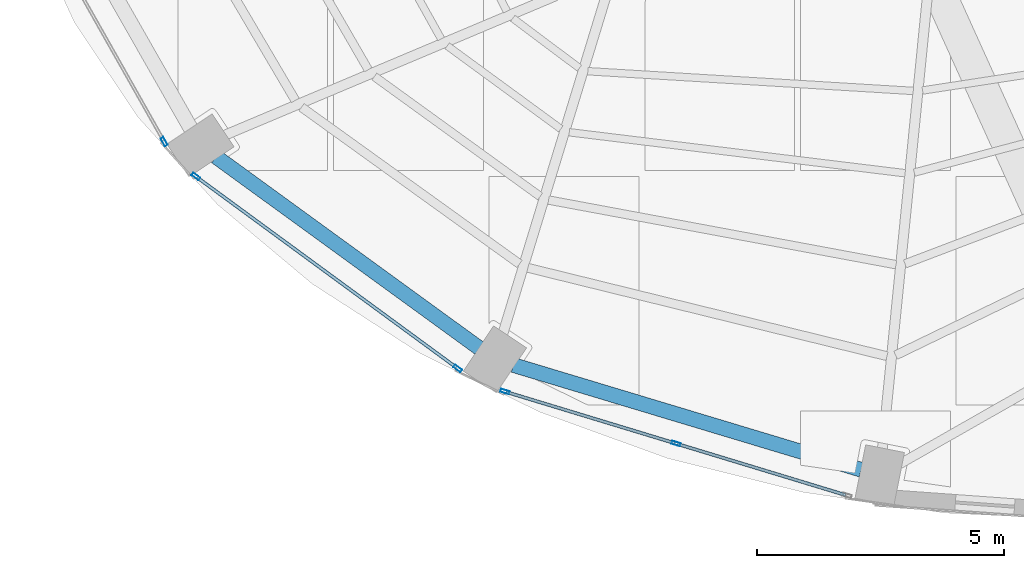
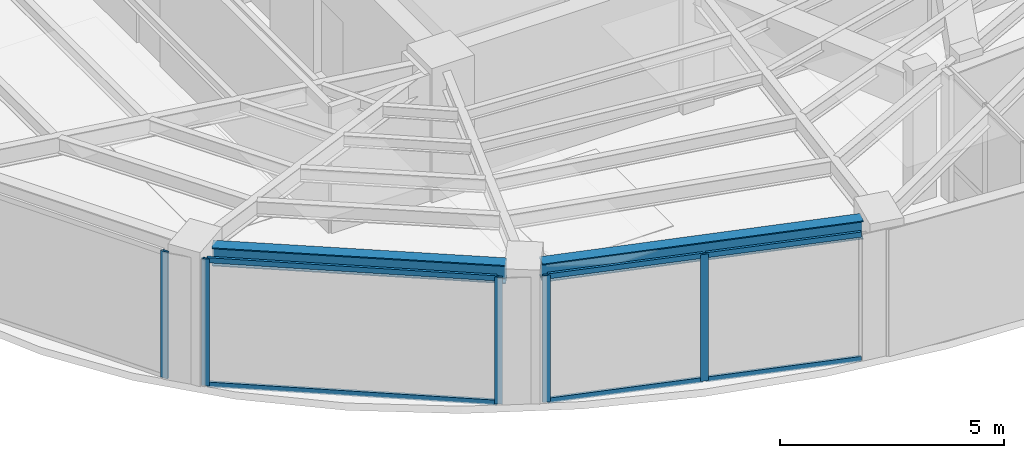
# One storey, part 2 of 22: 11 members, 2 beams, 3 elements without a shape of their own.
"""IFC4 building model written with IfcOpenShell, lengths in metres."""

from ifc_helpers import new_model, si_unit, direction, frame, origin, origin_2d, place, context, subcontext, project, spatial, hollow_rectangle, i_section, extrude, material, layer, layer_set, material_profile, profile_set, type_object, element, aggregate, save


model = new_model("IFC4")

# Units and contexts
model_context = context("Model", 3, precision=1e-05, world=origin(), true_north=direction((0.0, 1.0)))
body_context = subcontext(model_context, "Body", "Model", "MODEL_VIEW")
ifc_project = project(units=[si_unit("LENGTHUNIT", "METRE"), si_unit("AREAUNIT", "SQUARE_METRE"), si_unit("VOLUMEUNIT", "CUBIC_METRE"), si_unit("PLANEANGLEUNIT", "RADIAN"), si_unit("MASSUNIT", "GRAM", prefix="KILO")], contexts=[model_context])

# Site, building, storey
site_placement = place(None, origin())
site = spatial("IfcSite", under=ifc_project, at=site_placement, CompositionType="ELEMENT")
building_placement = place(site_placement, origin())
building = spatial("IfcBuilding", under=site, at=building_placement, Name="Lazwardi Medical Tower", CompositionType="ELEMENT")
storey_placement = place(building_placement, frame((0.0, 0.0, 255.02392578125)))
storey = spatial("IfcBuildingStorey", under=building, at=storey_placement, Name="L66", CompositionType="ELEMENT", Elevation=255.02392578125)

# Beams
ifc_material_1 = material(Name="Steel S355", Category="steel")
ifc_material_profile_1 = material_profile(ifc_material_1, i_section(OverallWidth=0.300048828125, OverallDepth=0.5, WebThickness=0.014404296875, FlangeThickness=0.028076171875, at=origin_2d()), Name="HEB 500")
ifc_profile_set_1 = profile_set([ifc_material_profile_1], Name="Steel S355")
beam_type = type_object("IfcBeamType", Name="BM-RB-Z4", PredefinedType="BEAM", material=ifc_profile_set_1)
beam_1_placement = place(storey_placement, frame((18.355712890625, 16.648193359375, 3.197998046875), z_axis=(0.808889916254, -0.587960120571, 0.0), x_axis=(0.587960120571, 0.808889916254, 0.0)))
element("IfcBeam", 1, at=beam_1_placement, inside=storey, type_object=beam_type, Name="Ring beam RB-05 B14 L66", PredefinedType="BEAM", context=body_context, shape_type="SweptSolid", body=[
    extrude(i_section(OverallWidth=0.300048828125, OverallDepth=0.5, WebThickness=0.014404296875, FlangeThickness=0.028076171875, at=origin_2d()), origin(), (0.0, 0.0, 1.0), 6.587158203125),
])
beam_2_placement = place(storey_placement, frame((24.373046875, 12.43359375, 3.197998046875), z_axis=(0.957544311906, -0.288286126506, 0.0), x_axis=(0.288286126506, 0.957544311906, 0.0)))
element("IfcBeam", 2, at=beam_2_placement, inside=storey, type_object=beam_type, Name="Ring beam RB-05 B15 L66", PredefinedType="BEAM", context=body_context, shape_type="SweptSolid", body=[
    extrude(i_section(OverallWidth=0.300048828125, OverallDepth=0.5, WebThickness=0.014404296875, FlangeThickness=0.028076171875, at=origin_2d()), origin(), (0.0, 0.0, 1.0), 7.3515625),
])

# Curtain wall, member
ifc_material_2 = material(Name="Anodised bronze aluminium and solar control glazing", Category="aluminium")
ifc_layer = layer(ifc_material_2, 0.18994140625)
ifc_layer_set = layer_set([ifc_layer], Name="Anodised bronze aluminium and solar control glazing")
curtain_wall_type = type_object("IfcCurtainWallType", Name="CW-SYS-04", PredefinedType="NOTDEFINED", material=ifc_layer_set)
curtain_wall_1_placement = place(storey_placement, origin())
curtain_wall_1 = element("IfcCurtainWall", 3, at=curtain_wall_1_placement, inside=storey, type_object=curtain_wall_type, Name="L66 Unitised bronze curtain wall CW-04", PredefinedType="NOTDEFINED")
ifc_material_3 = material(Name="Anodised bronze aluminium", Category="aluminium")
ifc_material_profile_2 = material_profile(ifc_material_3, hollow_rectangle(XDim=0.06494140625, YDim=0.179931640625, WallThickness=0.00390625, at=origin_2d()), Name="ALU-MULLION 180x65x4")
ifc_profile_set_2 = profile_set([ifc_material_profile_2], Name="Anodised bronze aluminium")
member_type_1 = type_object("IfcMemberType", Name="CW-MUL-03", PredefinedType="MULLION", material=ifc_profile_set_2)
member_1_placement = place(storey_placement, frame((17.3056640625, 16.95458984375, 0.0), z_axis=(0.0, 0.0, 1.0), x_axis=(0.870651436011, 0.491900474661, 0.0)))
member_1 = element("IfcMember", 4, at=member_1_placement, type_object=member_type_1, Name="CW-04 mullion 2", PredefinedType="MULLION", context=body_context, shape_type="SweptSolid", body=[
    extrude(hollow_rectangle(XDim=0.06494140625, YDim=0.179931640625, WallThickness=0.00390625, at=origin_2d()), origin(), (0.0, 0.0, 1.0), 3.447998046875),
])
aggregate(curtain_wall_1, [member_1])

# Curtain wall, members
curtain_wall_2_placement = place(storey_placement, origin())
curtain_wall_2 = element("IfcCurtainWall", 5, at=curtain_wall_2_placement, inside=storey, type_object=curtain_wall_type, Name="L66 Unitised bronze curtain wall CW-04", PredefinedType="NOTDEFINED")
member_2_placement = place(storey_placement, frame((17.947998046875, 16.248291015625, 0.0), z_axis=(0.0, 0.0, 1.0), x_axis=(0.591268230971, 0.806474971121, 0.0)))
member_2 = element("IfcMember", 6, at=member_2_placement, type_object=member_type_1, Name="CW-04 mullion 1", PredefinedType="MULLION", context=body_context, shape_type="SweptSolid", body=[
    extrude(hollow_rectangle(XDim=0.06494140625, YDim=0.179931640625, WallThickness=0.00390625, at=origin_2d()), origin(), (0.0, 0.0, 1.0), 3.447998046875),
])
member_3_placement = place(storey_placement, frame((23.24462890625, 12.365234375, 0.0), z_axis=(0.0, 0.0, 1.0), x_axis=(0.591268230971, 0.806474971121, 0.0)))
member_3 = element("IfcMember", 7, at=member_3_placement, type_object=member_type_1, Name="CW-04 mullion 2", PredefinedType="MULLION", context=body_context, shape_type="SweptSolid", body=[
    extrude(hollow_rectangle(XDim=0.06494140625, YDim=0.179931640625, WallThickness=0.00390625, at=origin_2d()), origin(), (0.0, 0.0, 1.0), 3.447998046875),
])

curtain_wall_3_placement = place(storey_placement, origin())
curtain_wall_3 = element("IfcCurtainWall", 8, at=curtain_wall_3_placement, inside=storey, type_object=curtain_wall_type, Name="L66 Unitised bronze curtain wall CW-04", PredefinedType="NOTDEFINED")
member_4_placement = place(storey_placement, frame((24.2001953125, 11.896484375, 0.0), z_axis=(0.0, 0.0, 1.0), x_axis=(0.290581889515, 0.956850126972, 0.0)))
member_4 = element("IfcMember", 9, at=member_4_placement, type_object=member_type_1, Name="CW-04 mullion 1", PredefinedType="MULLION", context=body_context, shape_type="SweptSolid", body=[
    extrude(hollow_rectangle(XDim=0.06494140625, YDim=0.179931640625, WallThickness=0.00390625, at=origin_2d()), origin(), (0.0, 0.0, 1.0), 3.447998046875),
])
member_5_placement = place(storey_placement, frame((27.66357421875, 10.8447265625, 0.0), z_axis=(0.0, 0.0, 1.0), x_axis=(0.290581889515, 0.956850126972, 0.0)))
member_5 = element("IfcMember", 10, at=member_5_placement, type_object=member_type_1, Name="CW-04 mullion 2", PredefinedType="MULLION", context=body_context, shape_type="SweptSolid", body=[
    extrude(hollow_rectangle(XDim=0.06494140625, YDim=0.179931640625, WallThickness=0.00390625, at=origin_2d()), origin(), (0.0, 0.0, 1.0), 3.447998046875),
])

# Member
ifc_material_profile_3 = material_profile(ifc_material_3, hollow_rectangle(XDim=0.06494140625, YDim=0.139892578125, WallThickness=0.00341796875, at=origin_2d()), Name="ALU-TRANSOM 140x65x3.5")
ifc_profile_set_3 = profile_set([ifc_material_profile_3], Name="Anodised bronze aluminium")
member_type_2 = type_object("IfcMemberType", Name="CW-TRN-03", PredefinedType="USERDEFINED", material=ifc_profile_set_3)
member_6_placement = place(storey_placement, frame((17.97412109375, 16.229248046875, 0.032470703125), z_axis=(0.806471831148, -0.591272513791, 0.0), x_axis=(0.591272513791, 0.806471831148, 0.0)))
member_6 = element("IfcMember", 11, at=member_6_placement, type_object=member_type_2, Name="CW-04 transom 1.1", ObjectType="TRANSOM", PredefinedType="USERDEFINED", context=body_context, shape_type="SweptSolid", body=[
    extrude(hollow_rectangle(XDim=0.06494140625, YDim=0.139892578125, WallThickness=0.00341796875, at=origin_2d()), origin(), (0.0, 0.0, 1.0), 6.5029296875),
])

member_7_placement = place(storey_placement, frame((17.97412109375, 16.229248046875, 3.41552734375), z_axis=(0.806471831148, -0.591272513791, 0.0), x_axis=(0.591272513791, 0.806471831148, 0.0)))
member_7 = element("IfcMember", 12, at=member_7_placement, type_object=member_type_2, Name="CW-04 transom 1.2", ObjectType="TRANSOM", PredefinedType="USERDEFINED", context=body_context, shape_type="SweptSolid", body=[
    extrude(hollow_rectangle(XDim=0.06494140625, YDim=0.139892578125, WallThickness=0.00341796875, at=origin_2d()), origin(), (0.0, 0.0, 1.0), 6.5029296875),
])

aggregate(curtain_wall_2, [member_2, member_3, member_6, member_7])

member_8_placement = place(storey_placement, frame((24.2314453125, 11.886962890625, 0.032470703125), z_axis=(0.956862505902, -0.290541124109, 0.0), x_axis=(0.290541124109, 0.956862505902, 0.0)))
member_8 = element("IfcMember", 13, at=member_8_placement, type_object=member_type_2, Name="CW-04 transom 1.1", ObjectType="TRANSOM", PredefinedType="USERDEFINED", context=body_context, shape_type="SweptSolid", body=[
    extrude(hollow_rectangle(XDim=0.06494140625, YDim=0.139892578125, WallThickness=0.00341796875, at=origin_2d()), origin(), (0.0, 0.0, 1.0), 3.554443359375),
])

member_9_placement = place(storey_placement, frame((24.2314453125, 11.886962890625, 3.41552734375), z_axis=(0.956862505902, -0.290541124109, 0.0), x_axis=(0.290541124109, 0.956862505902, 0.0)))
member_9 = element("IfcMember", 14, at=member_9_placement, type_object=member_type_2, Name="CW-04 transom 1.2", ObjectType="TRANSOM", PredefinedType="USERDEFINED", context=body_context, shape_type="SweptSolid", body=[
    extrude(hollow_rectangle(XDim=0.06494140625, YDim=0.139892578125, WallThickness=0.00341796875, at=origin_2d()), origin(), (0.0, 0.0, 1.0), 3.554443359375),
])

member_10_placement = place(storey_placement, frame((27.694580078125, 10.835205078125, 0.032470703125), z_axis=(0.956862505902, -0.290541124109, 0.0), x_axis=(0.290541124109, 0.956862505902, 0.0)))
member_10 = element("IfcMember", 15, at=member_10_placement, type_object=member_type_2, Name="CW-04 transom 2.1", ObjectType="TRANSOM", PredefinedType="USERDEFINED", context=body_context, shape_type="SweptSolid", body=[
    extrude(hollow_rectangle(XDim=0.06494140625, YDim=0.139892578125, WallThickness=0.00341796875, at=origin_2d()), origin(), (0.0, 0.0, 1.0), 3.554443359375),
])

member_11_placement = place(storey_placement, frame((27.694580078125, 10.835205078125, 3.41552734375), z_axis=(0.956862505902, -0.290541124109, 0.0), x_axis=(0.290541124109, 0.956862505902, 0.0)))
member_11 = element("IfcMember", 16, at=member_11_placement, type_object=member_type_2, Name="CW-04 transom 2.2", ObjectType="TRANSOM", PredefinedType="USERDEFINED", context=body_context, shape_type="SweptSolid", body=[
    extrude(hollow_rectangle(XDim=0.06494140625, YDim=0.139892578125, WallThickness=0.00341796875, at=origin_2d()), origin(), (0.0, 0.0, 1.0), 3.554443359375),
])

aggregate(curtain_wall_3, [member_4, member_5, member_8, member_9, member_10, member_11])

save(model, "model.ifc")
